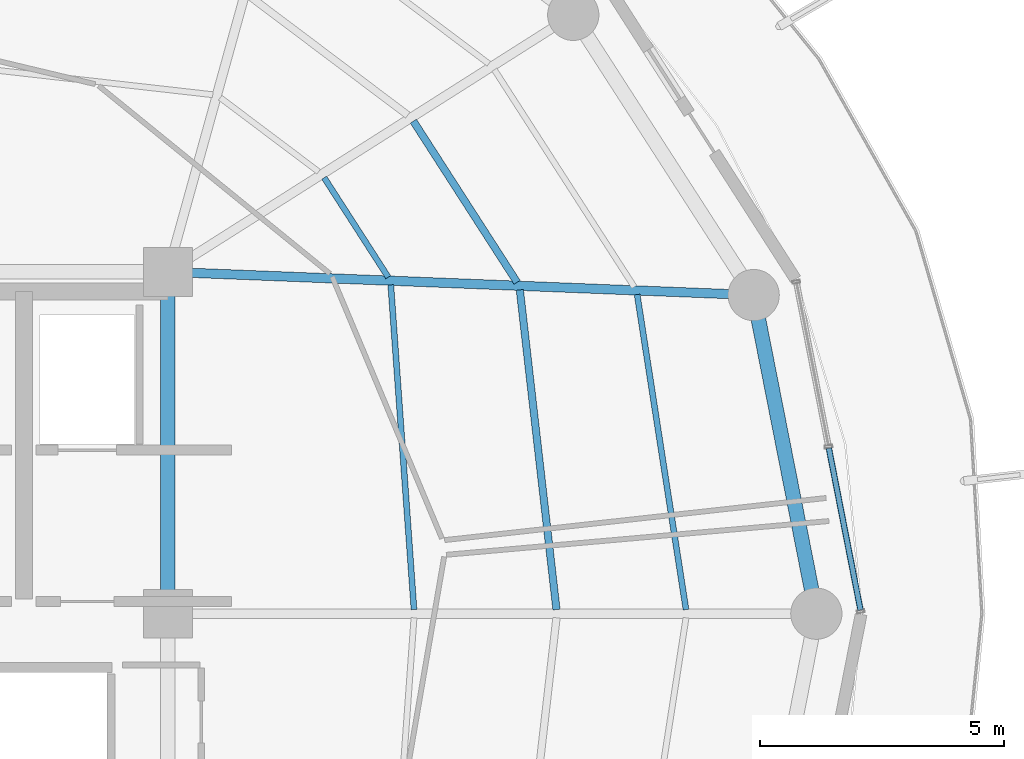
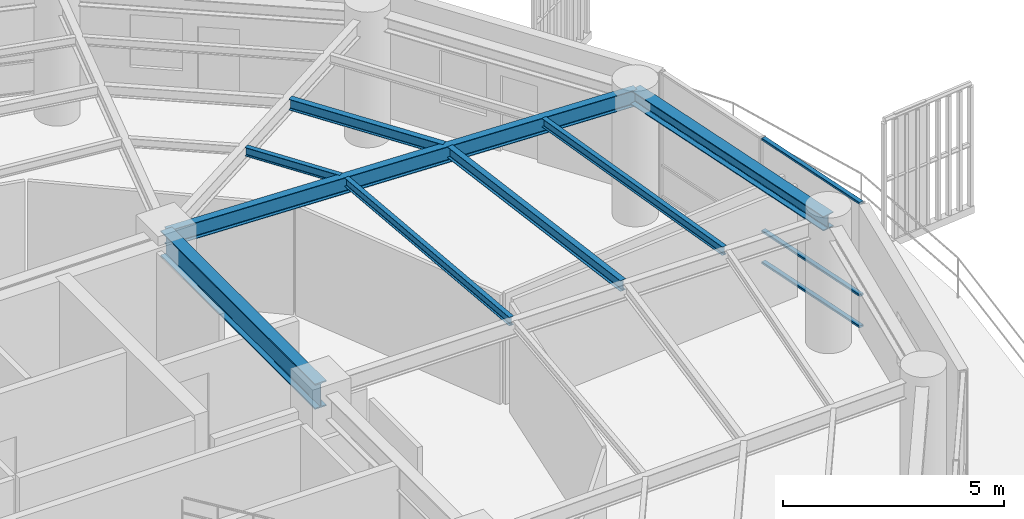
# One storey, part 15 of 31: 8 beams, 3 members, 1 element without a shape of its own.
"""IFC4 building model written with IfcOpenShell, lengths in metres."""

import ifcopenshell
import ifcopenshell.guid

model = None  # the IFC model being written
_history = None  # IfcOwnerHistory: only IFC2X3 demands one
_inside = {}  # id of a spatial element -> (the spatial element, [elements in it])
_under = {}  # id of a project, library or spatial element -> (it, [spatial elements below it])
_declared = {}  # id of a project -> (the project, [libraries it declares])
_typed = {}  # id of a type object -> (the type object, [elements of that type])
_made_of = {}  # id of a material, layer set ... -> (it, [elements and type objects made of it])


def new_model(schema):
    """Start an empty IFC model of exactly this schema.

    Asked for "IFC4X3", IfcOpenShell would pick the latest addendum, in which some entities
    have other attributes; the version numbers below select the first issue.
    IFC2X3 requires an IfcOwnerHistory on every rooted entity: one is made here for all.
    """
    global model, _history
    if schema == "IFC4X3":
        model = ifcopenshell.file(schema_version=(4, 3, 0, 0))
    else:
        model = ifcopenshell.file(schema=schema)
    _inside.clear()
    _under.clear()
    _declared.clear()
    _typed.clear()
    _made_of.clear()
    _history = None
    if model.schema == "IFC2X3":
        org = make("IfcOrganization", Name="unknown")
        user = make(
            "IfcPersonAndOrganization",
            ThePerson=make("IfcPerson", FamilyName="unknown"),
            TheOrganization=org,
        )
        app = make(
            "IfcApplication",
            ApplicationDeveloper=org,
            Version="unknown",
            ApplicationFullName="unknown",
            ApplicationIdentifier="unknown",
        )
        _history = make(
            "IfcOwnerHistory",
            OwningUser=user,
            OwningApplication=app,
            ChangeAction="ADDED",
            CreationDate=0,
        )
    return model


def make(cls, **values):
    """One entity of the class cls with the attributes given. An attribute that is None is left unset."""
    return model.create_entity(
        cls, **{name: value for name, value in values.items() if value is not None}
    )


def rooted(cls, **values):
    """An entity with a GlobalId (a new one), such as an element, a storey or a relation."""
    return make(cls, GlobalId=ifcopenshell.guid.new(), OwnerHistory=_history, **values)


def si_unit(unit_type, name, prefix=None):
    """IfcSIUnit, for example si_unit("LENGTHUNIT", "METRE", prefix="MILLI")."""
    return make("IfcSIUnit", UnitType=unit_type, Prefix=prefix, Name=name)


def assignment(units):
    """IfcUnitAssignment: the units of a project."""
    return None if units is None else make("IfcUnitAssignment", Units=units)


def point(xyz):
    """IfcCartesianPoint."""
    return None if xyz is None else make("IfcCartesianPoint", Coordinates=xyz)


def direction(xyz):
    """IfcDirection."""
    return None if xyz is None else make("IfcDirection", DirectionRatios=xyz)


def frame(location, z_axis=None, x_axis=None):
    """IfcAxis2Placement3D, a coordinate frame: its origin and axes. An axis left out is left unset."""
    return make(
        "IfcAxis2Placement3D",
        Location=point(location),
        Axis=direction(z_axis),
        RefDirection=direction(x_axis),
    )


def frame_2d(location, x_axis=None):
    """IfcAxis2Placement2D, a coordinate frame in the plane: its origin and x axis."""
    return make(
        "IfcAxis2Placement2D", Location=point(location), RefDirection=direction(x_axis)
    )


def origin():
    """The frame at (0, 0, 0) with its axes left unset."""
    return frame((0.0, 0.0, 0.0))


def origin_2d():
    """The frame at (0, 0) in the plane with its x axis left unset."""
    return frame_2d((0.0, 0.0))


def place(relative_to, where):
    """IfcLocalPlacement: puts the frame where relative to a parent placement (None: the world)."""
    return make(
        "IfcLocalPlacement", PlacementRelTo=relative_to, RelativePlacement=where
    )


def context(
    kind, dimensions, precision=None, world=None, true_north=None, identifier=None
):
    """IfcGeometricRepresentationContext, for example the 3D "Model" context."""
    return make(
        "IfcGeometricRepresentationContext",
        ContextIdentifier=identifier,
        ContextType=kind,
        CoordinateSpaceDimension=dimensions,
        Precision=precision,
        WorldCoordinateSystem=world,
        TrueNorth=true_north,
    )


def subcontext(parent, identifier, kind, view, scale=None):
    """IfcGeometricRepresentationSubContext, for example "Body" below "Model"."""
    return make(
        "IfcGeometricRepresentationSubContext",
        ContextIdentifier=identifier,
        ContextType=kind,
        ParentContext=parent,
        TargetScale=scale,
        TargetView=view,
    )


def project(units=None, contexts=None):
    """IfcProject with its units and contexts."""
    return rooted(
        "IfcProject",
        Name="project",
        RepresentationContexts=contexts,
        UnitsInContext=assignment(units),
    )


def spatial(cls, under=None, at=None, **own):
    """A site, building, storey or space (cls), placed at a placement, below another one or the project."""
    s = rooted(cls, ObjectPlacement=at, **own)
    if under is not None:
        _under.setdefault(under.id(), (under, []))[1].append(s)
    return s


def profile(cls, at=None, kind="AREA", **sizes):
    """A parametric profile (cls). Its sizes go by their IFC names, for example OverallWidth=200.0."""
    return make(cls, ProfileType=kind, Position=at, **sizes)


def hollow_rectangle(**sizes):
    """IfcRectangleHollowProfileDef."""
    return profile("IfcRectangleHollowProfileDef", **sizes)


def i_section(**sizes):
    """IfcIShapeProfileDef."""
    return profile("IfcIShapeProfileDef", **sizes)


def extrude(swept, where, along, depth):
    """IfcExtrudedAreaSolid: the profile swept, set in the frame where, extruded along a direction by depth."""
    return make(
        "IfcExtrudedAreaSolid",
        SweptArea=swept,
        Position=where,
        ExtrudedDirection=direction(along),
        Depth=depth,
    )


def shape(context_of_items, identifier, shape_type, items):
    """IfcShapeRepresentation: the items that make up one representation, for example the "Body"."""
    return make(
        "IfcShapeRepresentation",
        ContextOfItems=context_of_items,
        RepresentationIdentifier=identifier,
        RepresentationType=shape_type,
        Items=items,
    )


def material(Name=None, Category=None):
    """IfcMaterial."""
    return make("IfcMaterial", Name=Name, Category=Category)


def layer(
    of_material, thickness, ventilated=None, Name=None, Category=None, Priority=None
):
    """IfcMaterialLayer: one layer of a wall or slab, of a material (None: an air gap)."""
    return make(
        "IfcMaterialLayer",
        Material=of_material,
        LayerThickness=thickness,
        IsVentilated=ventilated,
        Name=Name,
        Category=Category,
        Priority=Priority,
    )


def layer_set(layers, Name=None):
    """IfcMaterialLayerSet."""
    return make("IfcMaterialLayerSet", MaterialLayers=layers, LayerSetName=Name)


def material_profile(
    of_material, cross_section, Name=None, Category=None, Priority=None
):
    """IfcMaterialProfile: a cross section and its material."""
    return make(
        "IfcMaterialProfile",
        Name=Name,
        Material=of_material,
        Profile=cross_section,
        Priority=Priority,
        Category=Category,
    )


def profile_set(profiles, Name=None, composite=None):
    """IfcMaterialProfileSet."""
    return make(
        "IfcMaterialProfileSet",
        Name=Name,
        MaterialProfiles=profiles,
        CompositeProfile=composite,
    )


def made_of(thing, what):
    """Note that an element or type object is made of a material, layer set ...; save() writes the relation."""
    if what is not None:
        _made_of.setdefault(what.id(), (what, []))[1].append(thing)
    return thing


def type_object(cls, material=None, **own):
    """A type object (cls), such as IfcWallType, which elements share."""
    return made_of(rooted(cls, **own), material)


def element(
    cls,
    number,
    at=None,
    inside=None,
    cuts=None,
    type_object=None,
    material=None,
    context=None,
    identifier="Body",
    shape_type=None,
    held_by="IfcProductDefinitionShape",
    body=None,
    shapes=None,
    **own,
):
    """One element of the class cls, such as IfcWall. Its Tag is "e" and its number.

    at: its placement. inside: the storey or other place that contains it. cuts: it is an
    opening in that element (IfcRelVoidsElement). A single representation is given by context,
    identifier, shape_type and body (its items); several are given by shapes. held_by: the class
    of the entity that holds the representations. save() writes the other relations.
    """
    e = rooted(cls, Tag="e%d" % number, ObjectPlacement=at, **own)
    if body is not None:
        shapes = [shape(context, identifier, shape_type, body)]
    if shapes is not None:
        e.Representation = make(held_by, Representations=shapes)
    if inside is not None:
        _inside.setdefault(inside.id(), (inside, []))[1].append(e)
    if cuts is not None:
        rooted(
            "IfcRelVoidsElement", RelatingBuildingElement=cuts, RelatedOpeningElement=e
        )
    if type_object is not None:
        _typed.setdefault(type_object.id(), (type_object, []))[1].append(e)
    return made_of(e, material)


def aggregate(whole, parts):
    """IfcRelAggregates: a whole, such as a stair, and the parts it consists of."""
    return rooted("IfcRelAggregates", RelatingObject=whole, RelatedObjects=parts)


def save(model, path):
    """Write the relations noted so far, then the file.

    IfcRelAggregates (storeys below a building ...), IfcRelContainedInSpatialStructure (elements
    in a storey), IfcRelDefinesByType, IfcRelAssociatesMaterial and IfcRelDeclares: one each for
    every whole, place, type object, material and project.
    """
    for whole, parts in _under.values():
        aggregate(whole, parts)
    for where, things in _inside.values():
        rooted(
            "IfcRelContainedInSpatialStructure",
            RelatedElements=things,
            RelatingStructure=where,
        )
    for kind, things in _typed.values():
        rooted("IfcRelDefinesByType", RelatedObjects=things, RelatingType=kind)
    for what, things in _made_of.values():
        rooted("IfcRelAssociatesMaterial", RelatedObjects=things, RelatingMaterial=what)
    for by, libraries in _declared.values():
        rooted("IfcRelDeclares", RelatingContext=by, RelatedDefinitions=libraries)
    model.write(path)


model = new_model("IFC4")

# Units and contexts
model_context = context("Model", 3, precision=1e-05, world=origin(), true_north=direction((0.0, 1.0)))
body_context = subcontext(model_context, "Body", "Model", "MODEL_VIEW")
ifc_project = project(units=[si_unit("LENGTHUNIT", "METRE"), si_unit("AREAUNIT", "SQUARE_METRE"), si_unit("VOLUMEUNIT", "CUBIC_METRE"), si_unit("PLANEANGLEUNIT", "RADIAN"), si_unit("MASSUNIT", "GRAM", prefix="KILO")], contexts=[model_context])

# Site, building, storey
site_placement = place(None, origin())
site = spatial("IfcSite", under=ifc_project, at=site_placement, CompositionType="ELEMENT")
building_placement = place(site_placement, origin())
building = spatial("IfcBuilding", under=site, at=building_placement, Name="Kelanora Arch Commons", CompositionType="ELEMENT")
storey_placement = place(building_placement, frame((0.0, 0.0, 230.699951171875)))
storey = spatial("IfcBuildingStorey", under=building, at=storey_placement, Name="L59", CompositionType="ELEMENT", Elevation=230.699951171875)

# Beams
ifc_material_1 = material(Name="Steel S355", Category="steel")
ifc_material_profile_1 = material_profile(ifc_material_1, i_section(OverallWidth=0.300048828125, OverallDepth=0.699951171875, WebThickness=0.01708984375, FlangeThickness=0.031982421875, FilletRadius=0.027099609375, at=origin_2d()), Name="HEB700")
ifc_profile_set_1 = profile_set([ifc_material_profile_1], Name="Steel S355")
beam_type_1 = type_object("IfcBeamType", Name="BM-CORE-HDR", PredefinedType="BEAM", material=ifc_profile_set_1)
beam_1_placement = place(storey_placement, frame((82.0, 58.0, 3.14013671875), z_axis=(0.0, 1.0, 0.0), x_axis=(-1.0, 0.0, 0.0)))
element("IfcBeam", 1, at=beam_1_placement, inside=storey, type_object=beam_type_1, Name="Core Header Beam 04 L59", PredefinedType="BEAM", context=body_context, shape_type="SweptSolid", body=[
    extrude(i_section(OverallWidth=0.300048828125, OverallDepth=0.699951171875, WebThickness=0.01708984375, FlangeThickness=0.031982421875, FilletRadius=0.027099609375, at=origin_2d()), origin(), (0.0, 0.0, 1.0), 7.0),
])
ifc_material_profile_2 = material_profile(ifc_material_1, i_section(OverallWidth=0.14990234375, OverallDepth=0.300048828125, WebThickness=0.007080078125, FlangeThickness=0.0107421875, FilletRadius=0.014892578125, at=origin_2d()), Name="IPE300")
ifc_profile_set_2 = profile_set([ifc_material_profile_2], Name="Steel S355")
beam_type_2 = type_object("IfcBeamType", Name="BM-JST-01", PredefinedType="JOIST", material=ifc_profile_set_2)
beam_2_placement = place(storey_placement, frame((89.958251953125, 58.08447265625, 3.340087890625), z_axis=(-0.113891408177, 0.993493204377, 0.0), x_axis=(-0.993493204377, -0.113891408177, 0.0)))
element("IfcBeam", 2, at=beam_2_placement, inside=storey, type_object=beam_type_2, Name="Secondary Chord Joist BJB-00 L59", PredefinedType="JOIST", context=body_context, shape_type="SweptSolid", body=[
    extrude(i_section(OverallWidth=0.14990234375, OverallDepth=0.300048828125, WebThickness=0.007080078125, FlangeThickness=0.0107421875, FilletRadius=0.014892578125, at=origin_2d()), origin(), (0.0, 0.0, 1.0), 6.589599609375),
])
beam_3_placement = place(storey_placement, frame((89.152099609375, 64.786865234375, 3.340087890625), z_axis=(-0.541411265892, 0.840757896879, 0.0), x_axis=(-0.840757896879, -0.541411265892, 0.0)))
element("IfcBeam", 3, at=beam_3_placement, inside=storey, type_object=beam_type_2, Name="Secondary Chord Joist BJB-02 L59", PredefinedType="JOIST", context=body_context, shape_type="SweptSolid", body=[
    extrude(i_section(OverallWidth=0.14990234375, OverallDepth=0.300048828125, WebThickness=0.007080078125, FlangeThickness=0.0107421875, FilletRadius=0.014892578125, at=origin_2d()), origin(), (0.0, 0.0, 1.0), 3.92529296875),
])
ifc_material_profile_3 = material_profile(ifc_material_1, i_section(OverallWidth=0.1201171875, OverallDepth=0.239990234375, WebThickness=0.006103515625, FlangeThickness=0.009765625, FilletRadius=0.014892578125, at=origin_2d()), Name="IPE240")
ifc_profile_set_3 = profile_set([ifc_material_profile_3], Name="Steel S355")
beam_type_3 = type_object("IfcBeamType", Name="BM-JST-02", PredefinedType="JOIST", material=ifc_profile_set_3)
beam_4_placement = place(storey_placement, frame((87.040283203125, 58.084716796875, 3.3701171875), z_axis=(-0.07133032136, 0.997452748382, 0.0), x_axis=(-0.997452748382, -0.07133032136, 0.0)))
element("IfcBeam", 4, at=beam_4_placement, inside=storey, type_object=beam_type_3, Name="Secondary Chord Joist BJA-00 L59", PredefinedType="JOIST", context=body_context, shape_type="SweptSolid", body=[
    extrude(i_section(OverallWidth=0.1201171875, OverallDepth=0.239990234375, WebThickness=0.006103515625, FlangeThickness=0.009765625, FilletRadius=0.014892578125, at=origin_2d()), origin(), (0.0, 0.0, 1.0), 6.66748046875),
])
beam_5_placement = place(storey_placement, frame((92.611083984375, 58.083984375, 3.3701171875), z_axis=(-0.153256756152, 0.988186402808, 0.0), x_axis=(-0.988186402808, -0.153256756152, 0.0)))
element("IfcBeam", 5, at=beam_5_placement, inside=storey, type_object=beam_type_3, Name="Secondary Chord Joist BJC-00 L59", PredefinedType="JOIST", context=body_context, shape_type="SweptSolid", body=[
    extrude(i_section(OverallWidth=0.1201171875, OverallDepth=0.239990234375, WebThickness=0.006103515625, FlangeThickness=0.009765625, FilletRadius=0.014892578125, at=origin_2d()), origin(), (0.0, 0.0, 1.0), 6.52978515625),
])
beam_6_placement = place(storey_placement, frame((86.5126953125, 64.89111328125, 3.3701171875), z_axis=(-0.541332763503, 0.840808443796, 0.0), x_axis=(-0.840808443796, -0.541332763503, 0.0)))
element("IfcBeam", 6, at=beam_6_placement, inside=storey, type_object=beam_type_3, Name="Secondary Chord Joist BJA-02 L59", PredefinedType="JOIST", context=body_context, shape_type="SweptSolid", body=[
    extrude(i_section(OverallWidth=0.1201171875, OverallDepth=0.239990234375, WebThickness=0.006103515625, FlangeThickness=0.009765625, FilletRadius=0.014892578125, at=origin_2d()), origin(), (0.0, 0.0, 1.0), 2.423583984375),
])
ifc_material_profile_4 = material_profile(ifc_material_1, i_section(OverallWidth=0.18994140625, OverallDepth=0.449951171875, WebThickness=0.009521484375, FlangeThickness=0.0146484375, FilletRadius=0.02099609375, at=origin_2d()), Name="IPE450")
ifc_profile_set_4 = profile_set([ifc_material_profile_4], Name="Steel S355")
beam_type_4 = type_object("IfcBeamType", Name="BM-RAD-Z4", PredefinedType="BEAM", material=ifc_profile_set_4)
beam_7_placement = place(storey_placement, frame((82.0, 65.0, 3.26513671875), z_axis=(0.999219142585, -0.03951082246, 0.0), x_axis=(0.03951082246, 0.999219142585, 0.0)))
element("IfcBeam", 7, at=beam_7_placement, inside=storey, type_object=beam_type_4, Name="Radial Floor Girder BR-02 L59", PredefinedType="BEAM", context=body_context, shape_type="SweptSolid", body=[
    extrude(i_section(OverallWidth=0.18994140625, OverallDepth=0.449951171875, WebThickness=0.009521484375, FlangeThickness=0.0146484375, FilletRadius=0.02099609375, at=origin_2d()), origin(), (0.0, 0.0, 1.0), 12.005859375),
])
ifc_material_profile_5 = material_profile(ifc_material_1, i_section(OverallWidth=0.300048828125, OverallDepth=0.39990234375, WebThickness=0.013427734375, FlangeThickness=0.02392578125, FilletRadius=0.027099609375, at=origin_2d()), Name="HEB400")
ifc_profile_set_5 = profile_set([ifc_material_profile_5], Name="Steel S355")
beam_type_5 = type_object("IfcBeamType", Name="BM-SPN-Z4", PredefinedType="SPANDREL", material=ifc_profile_set_5)
beam_8_placement = place(storey_placement, frame((95.280029296875, 58.0, 3.2900390625), z_axis=(-0.192980724826, 0.981202547819, 0.0), x_axis=(-0.981202547819, -0.192980724826, 0.0)))
element("IfcBeam", 8, at=beam_8_placement, inside=storey, type_object=beam_type_5, Name="Perimeter Spandrel Beam BS-00 L59", PredefinedType="SPANDREL", context=body_context, shape_type="SweptSolid", body=[
    extrude(i_section(OverallWidth=0.300048828125, OverallDepth=0.39990234375, WebThickness=0.013427734375, FlangeThickness=0.02392578125, FilletRadius=0.027099609375, at=origin_2d()), origin(), (0.0, 0.0, 1.0), 6.650634765625),
])

# Curtain wall, members
ifc_material_2 = material(Name="Terracotta ceramic-fritted low-E glass and aluminium", Category="masonry")
ifc_layer = layer(ifc_material_2, 0.175048828125)
ifc_layer_set = layer_set([ifc_layer], Name="Terracotta ceramic-fritted low-E glass and aluminium")
curtain_wall_type = type_object("IfcCurtainWallType", Name="CW-SYS-02", PredefinedType="NOTDEFINED", material=ifc_layer_set)
curtain_wall_placement = place(storey_placement, origin())
curtain_wall = element("IfcCurtainWall", 9, at=curtain_wall_placement, inside=storey, type_object=curtain_wall_type, Name="Unitised Curtain Wall L59-B00", PredefinedType="NOTDEFINED")
ifc_material_3 = material(Name="Powder-coated aluminium terracotta", Category="masonry")
ifc_material_profile_6 = material_profile(ifc_material_3, hollow_rectangle(XDim=0.1201171875, YDim=0.06005859375, WallThickness=0.0048828125, InnerFilletRadius=0.0048828125, OuterFilletRadius=0.010009765625, at=origin_2d()), Name="CWT120x60")
ifc_profile_set_6 = profile_set([ifc_material_profile_6], Name="Powder-coated aluminium terracotta")
member_type = type_object("IfcMemberType", Name="CWT-STD", PredefinedType="USERDEFINED", material=ifc_profile_set_6)
member_1_placement = place(storey_placement, frame((96.185546875, 58.073486328125, 0.030029296875), z_axis=(-0.192044874899, 0.981386145218, 0.0), x_axis=(-0.981386145218, -0.192044874899, 0.0)))
member_1 = element("IfcMember", 10, at=member_1_placement, type_object=member_type, Name="CW-02 transom 1.1", ObjectType="TRANSOM", PredefinedType="USERDEFINED", context=body_context, shape_type="SweptSolid", body=[
    extrude(hollow_rectangle(XDim=0.1201171875, YDim=0.06005859375, WallThickness=0.0048828125, InnerFilletRadius=0.0048828125, OuterFilletRadius=0.010009765625, at=origin_2d()), origin(), (0.0, 0.0, 1.0), 3.38037109375),
])
member_2_placement = place(storey_placement, frame((96.185546875, 58.073486328125, 0.900146484375), z_axis=(-0.192044874899, 0.981386145218, 0.0), x_axis=(-0.981386145218, -0.192044874899, 0.0)))
member_2 = element("IfcMember", 11, at=member_2_placement, type_object=member_type, Name="CW-02 transom 1.2", ObjectType="TRANSOM", PredefinedType="USERDEFINED", context=body_context, shape_type="SweptSolid", body=[
    extrude(hollow_rectangle(XDim=0.1201171875, YDim=0.06005859375, WallThickness=0.0048828125, InnerFilletRadius=0.0048828125, OuterFilletRadius=0.010009765625, at=origin_2d()), origin(), (0.0, 0.0, 1.0), 3.38037109375),
])
member_3_placement = place(storey_placement, frame((96.185546875, 58.073486328125, 3.445068359375), z_axis=(-0.192044874899, 0.981386145218, 0.0), x_axis=(-0.981386145218, -0.192044874899, 0.0)))
member_3 = element("IfcMember", 12, at=member_3_placement, type_object=member_type, Name="CW-02 transom 1.3", ObjectType="TRANSOM", PredefinedType="USERDEFINED", context=body_context, shape_type="SweptSolid", body=[
    extrude(hollow_rectangle(XDim=0.1201171875, YDim=0.06005859375, WallThickness=0.0048828125, InnerFilletRadius=0.0048828125, OuterFilletRadius=0.010009765625, at=origin_2d()), origin(), (0.0, 0.0, 1.0), 3.38037109375),
])
aggregate(curtain_wall, [member_1, member_2, member_3])

save(model, "model.ifc")
